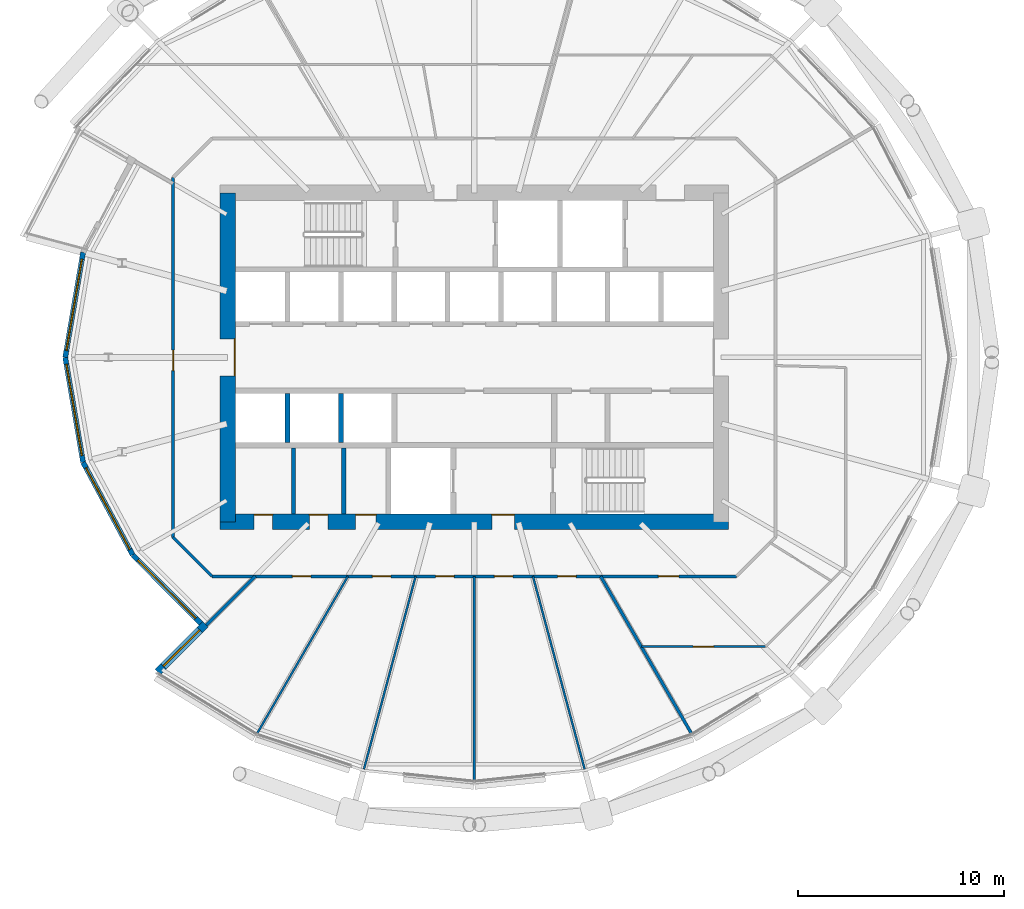
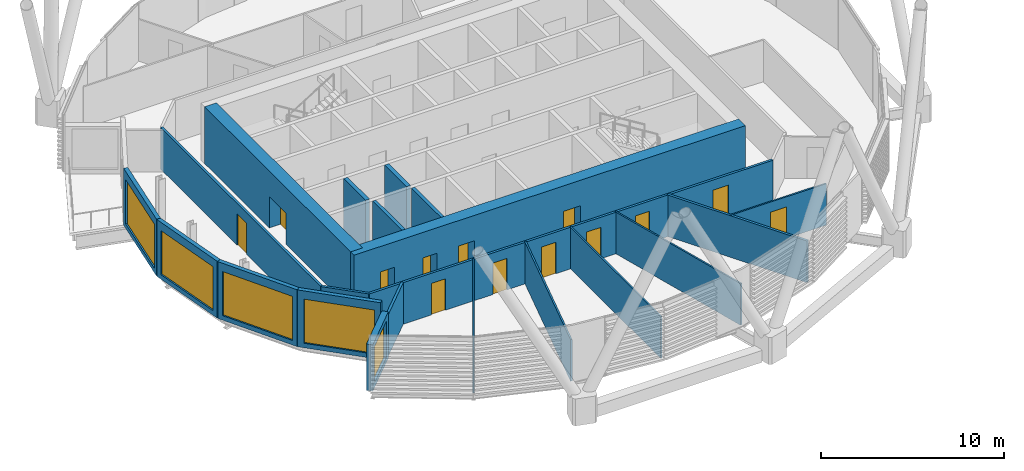
# One storey, part 27 of 39: 21 walls, 13 doors, 5 windows, 18 openings.
"""IFC4 building model written with IfcOpenShell, lengths in metres."""

from ifc_helpers import new_model, si_unit, direction, frame, frame_2d, origin, place, context, subcontext, project, spatial, rectangle, extrude, material, layer, layer_set, type_object, element, fill, save


model = new_model("IFC4")

# Units and contexts
model_context = context("Model", 3, precision=1e-05, world=origin(), true_north=direction((0.0, 1.0)))
body_context = subcontext(model_context, "Body", "Model", "MODEL_VIEW")
ifc_project = project(units=[si_unit("LENGTHUNIT", "METRE"), si_unit("AREAUNIT", "SQUARE_METRE"), si_unit("VOLUMEUNIT", "CUBIC_METRE"), si_unit("PLANEANGLEUNIT", "RADIAN"), si_unit("MASSUNIT", "GRAM", prefix="KILO")], contexts=[model_context])

# Site, building, storey
site_placement = place(None, origin())
site = spatial("IfcSite", under=ifc_project, at=site_placement, CompositionType="ELEMENT")
building_placement = place(site_placement, origin())
building = spatial("IfcBuilding", under=site, at=building_placement, Name="Rimbun Link Towers", CompositionType="ELEMENT")
storey_placement = place(building_placement, frame((0.0, 0.0, 115.800048828125)))
storey = spatial("IfcBuildingStorey", under=building, at=storey_placement, Name="L28", CompositionType="ELEMENT", Elevation=115.800048828125)

# Wall, opening, window
ifc_material_1 = material(Name="Dark enamelled glass spandrel on insulated aluminium backpan", Category="aluminium")
ifc_layer_1 = layer(ifc_material_1, 0.25)
ifc_layer_set_1 = layer_set([ifc_layer_1], Name="CS dark enamelled spandrel wall 250")
wall_type_1 = type_object("IfcWallType", Name="CS dark enamelled spandrel wall 250", PredefinedType="STANDARD", material=ifc_layer_set_1)
wall_1_placement = place(storey_placement, frame((-51.647705078125, 0.0, 0.0), z_axis=(0.0, 0.0, 1.0), x_axis=(0.167561603855, 0.985861607384, 0.0)))
wall_1 = element("IfcWall", 1, at=wall_1_placement, inside=storey, type_object=wall_type_1, Name="Crease spandrel wall", PredefinedType="STANDARD", context=body_context, shape_type="SweptSolid", body=[
    extrude(rectangle(XDim=5.18115234375, YDim=0.25, at=frame_2d((2.590576171875, 0.0))), origin(), (0.0, 0.0, 1.0), 3.800048828125),
])
opening_1_placement = place(wall_1_placement, frame((0.340576171875, 0.0, 0.300048828125)))
opening_1 = element("IfcOpeningElement", 2, at=opening_1_placement, cuts=wall_1, Name="Opening WR45H295", PredefinedType="OPENING", context=body_context, shape_type="SweptSolid", body=[
    extrude(rectangle(XDim=4.5, YDim=2.949951171875, at=frame_2d((2.25, 1.47509765625))), frame((0.0, 0.135009765625, 0.0), z_axis=(0.0, -1.0, 0.0), x_axis=(1.0, 0.0, 0.0)), (0.0, 0.0, 1.0), 0.27001953125),
])
ifc_material_2 = material(Name="Aluminium framed fixed window, dark tinted low-e glass", Category="aluminium")
window_type_1 = type_object("IfcWindowType", Name="WR ribbon window 4500X2950", PartitioningType="SINGLE_PANEL", PredefinedType="WINDOW", material=ifc_material_2)
window_1_placement = place(opening_1_placement, origin())
window_1 = element("IfcWindow", 3, at=window_1_placement, inside=storey, type_object=window_type_1, Name="Crease ribbon window", OverallHeight=2.949951171875, OverallWidth=4.5, PartitioningType="SINGLE_PANEL", PredefinedType="WINDOW", context=body_context, shape_type="SweptSolid", body=[
    extrude(rectangle(XDim=4.5, YDim=2.949951171875, at=frame_2d((2.25, 1.47509765625))), frame((0.0, 0.030029296875, 0.0), z_axis=(0.0, -1.0, 0.0), x_axis=(1.0, 0.0, 0.0)), (0.0, 0.0, 1.0), 0.06005859375),
])
fill(opening_1, window_1)

wall_2_placement = place(storey_placement, frame((-50.779541015625, -5.10791015625, 0.0), z_axis=(0.0, 0.0, 1.0), x_axis=(-0.167561603855, 0.985861607384, 0.0)))
wall_2 = element("IfcWall", 4, at=wall_2_placement, inside=storey, type_object=wall_type_1, Name="Crease spandrel wall", PredefinedType="STANDARD", context=body_context, shape_type="SweptSolid", body=[
    extrude(rectangle(XDim=5.18115234375, YDim=0.25, at=frame_2d((2.590576171875, 0.0))), origin(), (0.0, 0.0, 1.0), 3.800048828125),
])
opening_2_placement = place(wall_2_placement, frame((0.340576171875, 0.0, 0.300048828125)))
opening_2 = element("IfcOpeningElement", 5, at=opening_2_placement, cuts=wall_2, Name="Opening WR45H295", PredefinedType="OPENING", context=body_context, shape_type="SweptSolid", body=[
    extrude(rectangle(XDim=4.5, YDim=2.949951171875, at=frame_2d((2.25, 1.47509765625))), frame((0.0, 0.135009765625, 0.0), z_axis=(0.0, -1.0, 0.0), x_axis=(1.0, 0.0, 0.0)), (0.0, 0.0, 1.0), 0.27001953125),
])
window_2_placement = place(opening_2_placement, origin())
window_2 = element("IfcWindow", 6, at=window_2_placement, inside=storey, type_object=window_type_1, Name="Crease ribbon window", OverallHeight=2.949951171875, OverallWidth=4.5, PartitioningType="SINGLE_PANEL", PredefinedType="WINDOW", context=body_context, shape_type="SweptSolid", body=[
    extrude(rectangle(XDim=4.5, YDim=2.949951171875, at=frame_2d((2.25, 1.47509765625))), frame((0.0, 0.030029296875, 0.0), z_axis=(0.0, -1.0, 0.0), x_axis=(1.0, 0.0, 0.0)), (0.0, 0.0, 1.0), 0.06005859375),
])
fill(opening_2, window_2)

wall_3_placement = place(storey_placement, frame((-48.3671875, -9.610595703125, 0.0), z_axis=(0.0, 0.0, 1.0), x_axis=(-0.472251916987, 0.881463627668, 0.0)))
wall_3 = element("IfcWall", 7, at=wall_3_placement, inside=storey, type_object=wall_type_1, Name="Crease spandrel wall", PredefinedType="STANDARD", context=body_context, shape_type="SweptSolid", body=[
    extrude(rectangle(XDim=5.108154296875, YDim=0.25, at=frame_2d((2.55419921875, 0.0))), origin(), (0.0, 0.0, 1.0), 3.800048828125),
])
opening_3_placement = place(wall_3_placement, frame((0.303955078125, 0.0, 0.300048828125)))
opening_3 = element("IfcOpeningElement", 8, at=opening_3_placement, cuts=wall_3, Name="Opening WR45H295", PredefinedType="OPENING", context=body_context, shape_type="SweptSolid", body=[
    extrude(rectangle(XDim=4.5, YDim=2.949951171875, at=frame_2d((2.25, 1.47509765625))), frame((0.0, 0.135009765625, 0.0), z_axis=(0.0, -1.0, 0.0), x_axis=(1.0, 0.0, 0.0)), (0.0, 0.0, 1.0), 0.27001953125),
])
window_3_placement = place(opening_3_placement, origin())
window_3 = element("IfcWindow", 9, at=window_3_placement, inside=storey, type_object=window_type_1, Name="Crease ribbon window", OverallHeight=2.949951171875, OverallWidth=4.5, PartitioningType="SINGLE_PANEL", PredefinedType="WINDOW", context=body_context, shape_type="SweptSolid", body=[
    extrude(rectangle(XDim=4.5, YDim=2.949951171875, at=frame_2d((2.25, 1.47509765625))), frame((0.0, 0.030029296875, 0.0), z_axis=(0.0, -1.0, 0.0), x_axis=(1.0, 0.0, 0.0)), (0.0, 0.0, 1.0), 0.06005859375),
])
fill(opening_3, window_3)

wall_4_placement = place(storey_placement, frame((-45.047119140625, -12.943359375, 0.0), z_axis=(0.0, 0.0, 1.0), x_axis=(-0.705756154821, 0.708454832669, 0.0)))
wall_4 = element("IfcWall", 10, at=wall_4_placement, inside=storey, type_object=wall_type_1, Name="Crease spandrel wall", PredefinedType="STANDARD", context=body_context, shape_type="SweptSolid", body=[
    extrude(rectangle(XDim=4.704345703125, YDim=0.25, at=frame_2d((2.35205078125, 0.0))), origin(), (0.0, 0.0, 1.0), 3.800048828125),
])
opening_4_placement = place(wall_4_placement, frame((0.352294921875, 0.0, 0.300048828125)))
opening_4 = element("IfcOpeningElement", 11, at=opening_4_placement, cuts=wall_4, Name="Opening WR40H295", PredefinedType="OPENING", context=body_context, shape_type="SweptSolid", body=[
    extrude(rectangle(XDim=4.0, YDim=2.949951171875, at=frame_2d((2.0, 1.47509765625))), frame((0.0, 0.135009765625, 0.0), z_axis=(0.0, -1.0, 0.0), x_axis=(1.0, 0.0, 0.0)), (0.0, 0.0, 1.0), 0.27001953125),
])
ifc_material_3 = material(Name="Aluminium framed fixed window, dark tinted low-e glass", Category="aluminium")
window_type_2 = type_object("IfcWindowType", Name="WR ribbon window 4000X2950", PartitioningType="SINGLE_PANEL", PredefinedType="WINDOW", material=ifc_material_3)
window_4_placement = place(opening_4_placement, origin())
window_4 = element("IfcWindow", 12, at=window_4_placement, inside=storey, type_object=window_type_2, Name="Crease ribbon window", OverallHeight=2.949951171875, OverallWidth=4.0, PartitioningType="SINGLE_PANEL", PredefinedType="WINDOW", context=body_context, shape_type="SweptSolid", body=[
    extrude(rectangle(XDim=4.0, YDim=2.949951171875, at=frame_2d((2.0, 1.47509765625))), frame((0.0, 0.030029296875, 0.0), z_axis=(0.0, -1.0, 0.0), x_axis=(1.0, 0.0, 0.0)), (0.0, 0.0, 1.0), 0.06005859375),
])
fill(opening_4, window_4)

ifc_material_4 = material(Name="Dark enamelled glass spandrel on insulated aluminium backpan", Category="aluminium")
ifc_layer_2 = layer(ifc_material_4, 0.3701171875)
ifc_layer_set_2 = layer_set([ifc_layer_2], Name="CS dark enamelled spandrel wall 370")
wall_type_2 = type_object("IfcWallType", Name="CS dark enamelled spandrel wall 370", PredefinedType="STANDARD", material=ifc_layer_set_2)
wall_5_placement = place(storey_placement, frame((-47.1474609375, -15.305419921875, 0.0), z_axis=(0.0, 0.0, 1.0), x_axis=(0.707143998312, 0.707069562102, 0.0)))
wall_5 = element("IfcWall", 13, at=wall_5_placement, inside=storey, type_object=wall_type_2, Name="Crease spandrel wall", PredefinedType="STANDARD", context=body_context, shape_type="SweptSolid", body=[
    extrude(rectangle(XDim=3.27978515625, YDim=0.3701171875, at=frame_2d((1.639892578125, 0.0))), origin(), (0.0, 0.0, 1.0), 3.096923828125),
])
opening_5_placement = place(wall_5_placement, frame((0.389892578125, 0.0, 0.300048828125)))
opening_5 = element("IfcOpeningElement", 14, at=opening_5_placement, cuts=wall_5, Name="Opening WR25H245", PredefinedType="OPENING", context=body_context, shape_type="SweptSolid", body=[
    extrude(rectangle(XDim=2.5, YDim=2.449951171875, at=frame_2d((1.25, 1.22509765625))), frame((0.0, 0.195068359375, 0.0), z_axis=(0.0, -1.0, 0.0), x_axis=(1.0, 0.0, 0.0)), (0.0, 0.0, 1.0), 0.39013671875),
])
ifc_material_5 = material(Name="Aluminium framed fixed window, dark tinted low-e glass", Category="aluminium")
window_type_3 = type_object("IfcWindowType", Name="WR ribbon window 2500X2450", PartitioningType="SINGLE_PANEL", PredefinedType="WINDOW", material=ifc_material_5)
window_5_placement = place(opening_5_placement, origin())
window_5 = element("IfcWindow", 15, at=window_5_placement, inside=storey, type_object=window_type_3, Name="Crease ribbon window", OverallHeight=2.449951171875, OverallWidth=2.5, PartitioningType="SINGLE_PANEL", PredefinedType="WINDOW", context=body_context, shape_type="SweptSolid", body=[
    extrude(rectangle(XDim=2.5, YDim=2.449951171875, at=frame_2d((1.25, 1.22509765625))), frame((0.0, 0.030029296875, 0.0), z_axis=(0.0, -1.0, 0.0), x_axis=(1.0, 0.0, 0.0)), (0.0, 0.0, 1.0), 0.06005859375),
])
fill(opening_5, window_5)

# Walls
ifc_material_6 = material(Name="Masonry blockwork", Category="masonry")
ifc_layer_3 = layer(ifc_material_6, 0.199951171875)
ifc_layer_set_3 = layer_set([ifc_layer_3], Name="Core partition 200")
wall_type_3 = type_object("IfcWallType", Name="Core partition 200", PredefinedType="PARTITIONING", material=ifc_layer_set_3)
for number, where, z_axis, x_axis, name in (
    (16, (-40.550048828125, -4.39990234375, 0.0), (0.0, 0.0, 1.0), (0.0, -1.0, 0.0), "L28 T1 core wall C1"),
    (17, (-38.10009765625, -4.39990234375, 0.0), (0.0, 0.0, 1.0), (0.0, -1.0, 0.0), "L28 T1 core wall C2"),
):
    element("IfcWall", number, at=place(storey_placement, frame(where, z_axis=z_axis, x_axis=x_axis)), inside=storey, type_object=wall_type_3, Name=name, PredefinedType="PARTITIONING", context=body_context, shape_type="SweptSolid", body=[
        extrude(rectangle(XDim=3.22509765625, YDim=0.199951171875, at=frame_2d((1.612548828125, 0.0))), origin(), (0.0, 0.0, 1.0), 3.800048828125),
    ])

# Wall, openings, doors
ifc_material_7 = material(Name="Concrete C60/75", Category="concrete")
ifc_layer_4 = layer(ifc_material_7, 0.75)
ifc_layer_set_4 = layer_set([ifc_layer_4], Name="Core shear wall 750")
wall_type_4 = type_object("IfcWallType", Name="Core shear wall 750", PredefinedType="SHEAR", material=ifc_layer_set_4)
wall_6_placement = place(storey_placement, frame((-44.125, -8.0, 0.0), z_axis=(0.0, 0.0, 1.0), x_axis=(1.0, 0.0, 0.0)))
wall_6 = element("IfcWall", 18, at=wall_6_placement, inside=storey, type_object=wall_type_4, Name="L28 T1 core wall S", PredefinedType="SHEAR", context=body_context, shape_type="SweptSolid", body=[
    extrude(rectangle(XDim=24.75, YDim=0.75, at=frame_2d((12.375, 0.0))), origin(), (0.0, 0.0, 1.0), 3.800048828125),
])
opening_6_placement = place(wall_6_placement, frame((13.22509765625, 0.0, 0.0)))
opening_6 = element("IfcOpeningElement", 19, at=opening_6_placement, cuts=wall_6, Name="Opening C1DCF01S", PredefinedType="OPENING", context=body_context, shape_type="SweptSolid", body=[
    extrude(rectangle(XDim=1.10009765625, YDim=2.10009765625, at=frame_2d((0.550048828125, 1.050048828125))), frame((0.0, 0.385009765625, 0.0), z_axis=(0.0, -1.0, 0.0), x_axis=(1.0, 0.0, 0.0)), (0.0, 0.0, 1.0), 0.77001953125),
])
opening_7_placement = place(wall_6_placement, frame((1.66259765625, 0.0, 0.0)))
opening_7 = element("IfcOpeningElement", 20, at=opening_7_placement, cuts=wall_6, Name="Opening C1DWC02S", PredefinedType="OPENING", context=body_context, shape_type="SweptSolid", body=[
    extrude(rectangle(XDim=0.89990234375, YDim=2.10009765625, at=frame_2d((0.449951171875, 1.050048828125))), frame((0.0, 0.385009765625, 0.0), z_axis=(0.0, -1.0, 0.0), x_axis=(1.0, 0.0, 0.0)), (0.0, 0.0, 1.0), 0.77001953125),
])
opening_8_placement = place(wall_6_placement, frame((4.35009765625, 0.0, 0.0)))
opening_8 = element("IfcOpeningElement", 21, at=opening_8_placement, cuts=wall_6, Name="Opening C1DWC03S", PredefinedType="OPENING", context=body_context, shape_type="SweptSolid", body=[
    extrude(rectangle(XDim=0.89990234375, YDim=2.10009765625, at=frame_2d((0.449951171875, 1.050048828125))), frame((0.0, 0.385009765625, 0.0), z_axis=(0.0, -1.0, 0.0), x_axis=(1.0, 0.0, 0.0)), (0.0, 0.0, 1.0), 0.77001953125),
])
opening_9_placement = place(wall_6_placement, frame((6.60009765625, 0.0, 0.0)))
opening_9 = element("IfcOpeningElement", 22, at=opening_9_placement, cuts=wall_6, Name="Opening C1DAW04S", PredefinedType="OPENING", context=body_context, shape_type="SweptSolid", body=[
    extrude(rectangle(XDim=1.0, YDim=2.10009765625, at=frame_2d((0.5, 1.050048828125))), frame((0.0, 0.385009765625, 0.0), z_axis=(0.0, -1.0, 0.0), x_axis=(1.0, 0.0, 0.0)), (0.0, 0.0, 1.0), 0.77001953125),
])
ifc_material_8 = material(Name="Timber", Category="wood")
door_type_1 = type_object("IfcDoorType", Name="Accessible WC door", OperationType="SINGLE_SWING_LEFT", PredefinedType="DOOR", material=ifc_material_8)
door_1_placement = place(opening_9_placement, origin())
door_1 = element("IfcDoor", 23, at=door_1_placement, inside=storey, type_object=door_type_1, Name="L28 T1 accessible wc door", OperationType="SINGLE_SWING_RIGHT", OverallHeight=2.10009765625, OverallWidth=1.0, PredefinedType="DOOR", context=body_context, shape_type="SweptSolid", body=[
    extrude(rectangle(XDim=1.0, YDim=2.10009765625, at=frame_2d((0.5, 1.050048828125))), frame((0.0, 0.375, 0.0), z_axis=(0.0, -1.0, 0.0), x_axis=(1.0, 0.0, 0.0)), (0.0, 0.0, 1.0), 0.050048828125),
])
fill(opening_9, door_1)
ifc_material_9 = material(Name="Steel fire door set", Category="steel")
door_type_2 = type_object("IfcDoorType", Name="Core fire door single", OperationType="SINGLE_SWING_LEFT", PredefinedType="DOOR", material=ifc_material_9)
door_2_placement = place(opening_6_placement, origin())
door_2 = element("IfcDoor", 24, at=door_2_placement, inside=storey, type_object=door_type_2, Name="L28 T1 firefighting lobby s door", OperationType="SINGLE_SWING_RIGHT", OverallHeight=2.10009765625, OverallWidth=1.10009765625, PredefinedType="DOOR", context=body_context, shape_type="SweptSolid", body=[
    extrude(rectangle(XDim=1.10009765625, YDim=2.10009765625, at=frame_2d((0.550048828125, 1.050048828125))), frame((0.0, 0.375, 0.0), z_axis=(0.0, -1.0, 0.0), x_axis=(1.0, 0.0, 0.0)), (0.0, 0.0, 1.0), 0.050048828125),
])
fill(opening_6, door_2)
ifc_material_10 = material(Name="Timber", Category="wood")
door_type_3 = type_object("IfcDoorType", Name="WC door", OperationType="SINGLE_SWING_LEFT", PredefinedType="DOOR", material=ifc_material_10)
door_3_placement = place(opening_7_placement, origin())
door_3 = element("IfcDoor", 25, at=door_3_placement, inside=storey, type_object=door_type_3, Name="L28 T1 male wc door", OperationType="SINGLE_SWING_RIGHT", OverallHeight=2.10009765625, OverallWidth=0.89990234375, PredefinedType="DOOR", context=body_context, shape_type="SweptSolid", body=[
    extrude(rectangle(XDim=0.89990234375, YDim=2.10009765625, at=frame_2d((0.449951171875, 1.050048828125))), frame((0.0, 0.375, 0.0), z_axis=(0.0, -1.0, 0.0), x_axis=(1.0, 0.0, 0.0)), (0.0, 0.0, 1.0), 0.050048828125),
])
fill(opening_7, door_3)
door_4_placement = place(opening_8_placement, origin())
door_4 = element("IfcDoor", 26, at=door_4_placement, inside=storey, type_object=door_type_3, Name="L28 T1 female wc door", OperationType="SINGLE_SWING_LEFT", OverallHeight=2.10009765625, OverallWidth=0.89990234375, PredefinedType="DOOR", context=body_context, shape_type="SweptSolid", body=[
    extrude(rectangle(XDim=0.89990234375, YDim=2.10009765625, at=frame_2d((0.449951171875, 1.050048828125))), frame((0.0, 0.375, 0.0), z_axis=(0.0, -1.0, 0.0), x_axis=(1.0, 0.0, 0.0)), (0.0, 0.0, 1.0), 0.050048828125),
])
fill(opening_8, door_4)

# Wall, opening, door
wall_7_placement = place(storey_placement, frame((-43.75, -8.0, 0.0), z_axis=(0.0, 0.0, 1.0), x_axis=(0.0, 1.0, 0.0)))
wall_7 = element("IfcWall", 27, at=wall_7_placement, inside=storey, type_object=wall_type_4, Name="L28 T1 core wall W", PredefinedType="SHEAR", context=body_context, shape_type="SweptSolid", body=[
    extrude(rectangle(XDim=16.0, YDim=0.75, at=frame_2d((8.0, 0.0))), origin(), (0.0, 0.0, 1.0), 3.800048828125),
])
opening_10_placement = place(wall_7_placement, frame((7.10009765625, 0.0, 0.0)))
opening_10 = element("IfcOpeningElement", 28, at=opening_10_placement, cuts=wall_7, Name="Opening C1DCL01W", PredefinedType="OPENING", context=body_context, shape_type="SweptSolid", body=[
    extrude(rectangle(XDim=1.800048828125, YDim=2.10009765625, at=frame_2d((0.89990234375, 1.050048828125))), frame((0.0, 0.385009765625, 0.0), z_axis=(0.0, -1.0, 0.0), x_axis=(1.0, 0.0, 0.0)), (0.0, 0.0, 1.0), 0.77001953125),
])
ifc_material_11 = material(Name="Steel fire door set", Category="steel")
door_type_4 = type_object("IfcDoorType", Name="Core lobby door double", OperationType="DOUBLE_DOOR_SINGLE_SWING", PredefinedType="DOOR", material=ifc_material_11)
door_5_placement = place(opening_10_placement, origin())
door_5 = element("IfcDoor", 29, at=door_5_placement, inside=storey, type_object=door_type_4, Name="L28 T1 lift lobby door", OperationType="DOUBLE_DOOR_SINGLE_SWING", OverallHeight=2.10009765625, OverallWidth=1.800048828125, PredefinedType="DOOR", context=body_context, shape_type="SweptSolid", body=[
    extrude(rectangle(XDim=1.800048828125, YDim=2.10009765625, at=frame_2d((0.89990234375, 1.050048828125))), frame((0.0, -0.3251953125, 0.0), z_axis=(0.0, -1.0, 0.0), x_axis=(1.0, 0.0, 0.0)), (0.0, 0.0, 1.0), 0.050048828125),
])
fill(opening_10, door_5)

# Wall, openings, doors
ifc_material_12 = material(Name="Plasterboard on steel stud, mineral wool", Category="steel")
ifc_layer_5 = layer(ifc_material_12, 0.14990234375)
ifc_layer_set_5 = layer_set([ifc_layer_5], Name="Corridor wall EI 30 150 mm")
wall_type_5 = type_object("IfcWallType", Name="Corridor wall EI 30 150 mm", PredefinedType="PARTITIONING", material=ifc_layer_set_5)
wall_8_placement = place(storey_placement, frame((-18.998291015625, -10.64990234375, 0.0), z_axis=(0.0, 0.0, 1.0), x_axis=(-1.0, 0.0, 0.0)))
wall_8 = element("IfcWall", 30, at=wall_8_placement, inside=storey, type_object=wall_type_5, Name="Corridor wall EI 30 150 mm", PredefinedType="PARTITIONING", context=body_context, shape_type="SweptSolid", body=[
    extrude(rectangle(XDim=25.50341796875, YDim=0.14990234375, at=frame_2d((12.751708984375, 0.0))), origin(), (0.0, 0.0, 1.0), 2.779052734375),
])
opening_11_placement = place(wall_8_placement, frame((20.701171875, 0.0, 0.0)))
opening_11 = element("IfcOpeningElement", 31, at=opening_11_placement, cuts=wall_8, Name="Opening D02", PredefinedType="OPENING", context=body_context, shape_type="SweptSolid", body=[
    extrude(rectangle(XDim=0.89990234375, YDim=2.10009765625, at=frame_2d((0.449951171875, 1.050048828125))), frame((0.0, 0.0849609375, 0.0), z_axis=(0.0, -1.0, 0.0), x_axis=(1.0, 0.0, 0.0)), (0.0, 0.0, 1.0), 0.169921875),
])
opening_12_placement = place(wall_8_placement, frame((16.802978515625, 0.0, 0.0)))
opening_12 = element("IfcOpeningElement", 32, at=opening_12_placement, cuts=wall_8, Name="Opening D02", PredefinedType="OPENING", context=body_context, shape_type="SweptSolid", body=[
    extrude(rectangle(XDim=0.89990234375, YDim=2.10009765625, at=frame_2d((0.449951171875, 1.050048828125))), frame((0.0, 0.0849609375, 0.0), z_axis=(0.0, -1.0, 0.0), x_axis=(1.0, 0.0, 0.0)), (0.0, 0.0, 1.0), 0.169921875),
])
opening_13_placement = place(wall_8_placement, frame((13.728515625, 0.0, 0.0)))
opening_13 = element("IfcOpeningElement", 33, at=opening_13_placement, cuts=wall_8, Name="Opening D02", PredefinedType="OPENING", context=body_context, shape_type="SweptSolid", body=[
    extrude(rectangle(XDim=0.89990234375, YDim=2.10009765625, at=frame_2d((0.449951171875, 1.050048828125))), frame((0.0, 0.0849609375, 0.0), z_axis=(0.0, -1.0, 0.0), x_axis=(1.0, 0.0, 0.0)), (0.0, 0.0, 1.0), 0.169921875),
])
opening_14_placement = place(wall_8_placement, frame((10.875, 0.0, 0.0)))
opening_14 = element("IfcOpeningElement", 34, at=opening_14_placement, cuts=wall_8, Name="Opening D02", PredefinedType="OPENING", context=body_context, shape_type="SweptSolid", body=[
    extrude(rectangle(XDim=0.89990234375, YDim=2.10009765625, at=frame_2d((0.449951171875, 1.050048828125))), frame((0.0, 0.0849609375, 0.0), z_axis=(0.0, -1.0, 0.0), x_axis=(1.0, 0.0, 0.0)), (0.0, 0.0, 1.0), 0.169921875),
])
opening_15_placement = place(wall_8_placement, frame((7.800537109375, 0.0, 0.0)))
opening_15 = element("IfcOpeningElement", 35, at=opening_15_placement, cuts=wall_8, Name="Opening D02", PredefinedType="OPENING", context=body_context, shape_type="SweptSolid", body=[
    extrude(rectangle(XDim=0.89990234375, YDim=2.10009765625, at=frame_2d((0.449951171875, 1.050048828125))), frame((0.0, 0.0849609375, 0.0), z_axis=(0.0, -1.0, 0.0), x_axis=(1.0, 0.0, 0.0)), (0.0, 0.0, 1.0), 0.169921875),
])
opening_16_placement = place(wall_8_placement, frame((2.801513671875, 0.0, 0.0)))
opening_16 = element("IfcOpeningElement", 36, at=opening_16_placement, cuts=wall_8, Name="Opening D01", PredefinedType="OPENING", context=body_context, shape_type="SweptSolid", body=[
    extrude(rectangle(XDim=1.0, YDim=2.10009765625, at=frame_2d((0.5, 1.050048828125))), frame((0.0, 0.0849609375, 0.0), z_axis=(0.0, -1.0, 0.0), x_axis=(1.0, 0.0, 0.0)), (0.0, 0.0, 1.0), 0.169921875),
])
ifc_material_13 = material(Name="Fire-resisting timber door leaf", Category="wood")
door_type_5 = type_object("IfcDoorType", Name="Fire door FD30S 1000", OperationType="NOTDEFINED", PredefinedType="DOOR", material=ifc_material_13)
door_6_placement = place(opening_16_placement, origin())
door_6 = element("IfcDoor", 37, at=door_6_placement, inside=storey, type_object=door_type_5, Name="Fire door FD30S 1000 to Reception", OperationType="SINGLE_SWING_RIGHT", OverallHeight=2.10009765625, OverallWidth=1.0, PredefinedType="DOOR", context=body_context, shape_type="SweptSolid", body=[
    extrude(rectangle(XDim=1.0, YDim=2.10009765625, at=frame_2d((0.5, 1.050048828125))), frame((0.0, 0.02490234375, 0.0), z_axis=(0.0, -1.0, 0.0), x_axis=(1.0, 0.0, 0.0)), (0.0, 0.0, 1.0), 0.050048828125),
])
fill(opening_16, door_6)
ifc_material_14 = material(Name="Fire-resisting timber door leaf", Category="wood")
door_type_6 = type_object("IfcDoorType", Name="Fire door FD30S 900", OperationType="NOTDEFINED", PredefinedType="DOOR", material=ifc_material_14)
door_7_placement = place(opening_11_placement, origin())
door_7 = element("IfcDoor", 38, at=door_7_placement, inside=storey, type_object=door_type_6, Name="Fire door FD30S 900 to Cellular office", OperationType="SINGLE_SWING_LEFT", OverallHeight=2.10009765625, OverallWidth=0.89990234375, PredefinedType="DOOR", context=body_context, shape_type="SweptSolid", body=[
    extrude(rectangle(XDim=0.89990234375, YDim=2.10009765625, at=frame_2d((0.449951171875, 1.050048828125))), frame((0.0, 0.02490234375, 0.0), z_axis=(0.0, -1.0, 0.0), x_axis=(1.0, 0.0, 0.0)), (0.0, 0.0, 1.0), 0.050048828125),
])
fill(opening_11, door_7)
door_8_placement = place(opening_12_placement, origin())
door_8 = element("IfcDoor", 39, at=door_8_placement, inside=storey, type_object=door_type_6, Name="Fire door FD30S 900 to Cellular office", OperationType="SINGLE_SWING_RIGHT", OverallHeight=2.10009765625, OverallWidth=0.89990234375, PredefinedType="DOOR", context=body_context, shape_type="SweptSolid", body=[
    extrude(rectangle(XDim=0.89990234375, YDim=2.10009765625, at=frame_2d((0.449951171875, 1.050048828125))), frame((0.0, 0.02490234375, 0.0), z_axis=(0.0, -1.0, 0.0), x_axis=(1.0, 0.0, 0.0)), (0.0, 0.0, 1.0), 0.050048828125),
])
fill(opening_12, door_8)
door_9_placement = place(opening_13_placement, origin())
door_9 = element("IfcDoor", 40, at=door_9_placement, inside=storey, type_object=door_type_6, Name="Fire door FD30S 900 to Cellular office", OperationType="SINGLE_SWING_LEFT", OverallHeight=2.10009765625, OverallWidth=0.89990234375, PredefinedType="DOOR", context=body_context, shape_type="SweptSolid", body=[
    extrude(rectangle(XDim=0.89990234375, YDim=2.10009765625, at=frame_2d((0.449951171875, 1.050048828125))), frame((0.0, 0.02490234375, 0.0), z_axis=(0.0, -1.0, 0.0), x_axis=(1.0, 0.0, 0.0)), (0.0, 0.0, 1.0), 0.050048828125),
])
fill(opening_13, door_9)
door_10_placement = place(opening_14_placement, origin())
door_10 = element("IfcDoor", 41, at=door_10_placement, inside=storey, type_object=door_type_6, Name="Fire door FD30S 900 to Cellular office", OperationType="SINGLE_SWING_RIGHT", OverallHeight=2.10009765625, OverallWidth=0.89990234375, PredefinedType="DOOR", context=body_context, shape_type="SweptSolid", body=[
    extrude(rectangle(XDim=0.89990234375, YDim=2.10009765625, at=frame_2d((0.449951171875, 1.050048828125))), frame((0.0, 0.02490234375, 0.0), z_axis=(0.0, -1.0, 0.0), x_axis=(1.0, 0.0, 0.0)), (0.0, 0.0, 1.0), 0.050048828125),
])
fill(opening_14, door_10)
door_11_placement = place(opening_15_placement, origin())
door_11 = element("IfcDoor", 42, at=door_11_placement, inside=storey, type_object=door_type_6, Name="Fire door FD30S 900 to Meeting room", OperationType="SINGLE_SWING_LEFT", OverallHeight=2.10009765625, OverallWidth=0.89990234375, PredefinedType="DOOR", context=body_context, shape_type="SweptSolid", body=[
    extrude(rectangle(XDim=0.89990234375, YDim=2.10009765625, at=frame_2d((0.449951171875, 1.050048828125))), frame((0.0, 0.02490234375, 0.0), z_axis=(0.0, -1.0, 0.0), x_axis=(1.0, 0.0, 0.0)), (0.0, 0.0, 1.0), 0.050048828125),
])
fill(opening_15, door_11)

# Wall
wall_9_placement = place(storey_placement, frame((-46.39990234375, -8.751708984375, 0.0), z_axis=(0.0, 0.0, 1.0), x_axis=(0.707106781187, -0.707106781187, 0.0)))
element("IfcWall", 43, at=wall_9_placement, inside=storey, type_object=wall_type_5, Name="Corridor wall EI 30 150 mm", PredefinedType="PARTITIONING", context=body_context, shape_type="SweptSolid", body=[
    extrude(rectangle(XDim=2.6845703125, YDim=0.14990234375, at=frame_2d((1.34228515625, 0.0))), origin(), (0.0, 0.0, 1.0), 2.779052734375),
])

# Wall, opening, door
wall_10_placement = place(storey_placement, frame((-46.39990234375, -8.751708984375, 0.0), z_axis=(0.0, 0.0, 1.0), x_axis=(0.0, 1.0, 0.0)))
wall_10 = element("IfcWall", 44, at=wall_10_placement, inside=storey, type_object=wall_type_5, Name="Corridor wall EI 30 150 mm", PredefinedType="PARTITIONING", context=body_context, shape_type="SweptSolid", body=[
    extrude(rectangle(XDim=17.50341796875, YDim=0.14990234375, at=frame_2d((8.751708984375, 0.0))), origin(), (0.0, 0.0, 1.0), 2.779052734375),
])
opening_17_placement = place(wall_10_placement, frame((8.10498046875, 0.0, 0.0)))
opening_17 = element("IfcOpeningElement", 45, at=opening_17_placement, cuts=wall_10, Name="Opening D01", PredefinedType="OPENING", context=body_context, shape_type="SweptSolid", body=[
    extrude(rectangle(XDim=1.0, YDim=2.10009765625, at=frame_2d((0.5, 1.050048828125))), frame((0.0, 0.0849609375, 0.0), z_axis=(0.0, -1.0, 0.0), x_axis=(1.0, 0.0, 0.0)), (0.0, 0.0, 1.0), 0.169921875),
])
door_12_placement = place(opening_17_placement, origin())
door_12 = element("IfcDoor", 46, at=door_12_placement, inside=storey, type_object=door_type_5, Name="Fire door FD30S 1000 to Terrace office", OperationType="SINGLE_SWING_LEFT", OverallHeight=2.10009765625, OverallWidth=1.0, PredefinedType="DOOR", context=body_context, shape_type="SweptSolid", body=[
    extrude(rectangle(XDim=1.0, YDim=2.10009765625, at=frame_2d((0.5, 1.050048828125))), frame((0.0, 0.02490234375, 0.0), z_axis=(0.0, -1.0, 0.0), x_axis=(1.0, 0.0, 0.0)), (0.0, 0.0, 1.0), 0.050048828125),
])
fill(opening_17, door_12)

# Walls
ifc_material_15 = material(Name="Plasterboard on steel stud", Category="steel")
ifc_layer_6 = layer(ifc_material_15, 0.10009765625)
ifc_layer_set_6 = layer_set([ifc_layer_6], Name="Plasterboard partition 100 mm")
wall_type_6 = type_object("IfcWallType", Name="Plasterboard partition 100 mm", PredefinedType="PARTITIONING", material=ifc_layer_set_6)
wall_11_placement = place(storey_placement, frame((-42.321044921875, -18.3095703125, 0.0), z_axis=(0.0, 0.0, 1.0), x_axis=(0.500004402451, 0.866022862013, 0.0)))
element("IfcWall", 47, at=wall_11_placement, inside=storey, type_object=wall_type_6, Name="Plasterboard partition 100 mm", PredefinedType="PARTITIONING", context=body_context, shape_type="SweptSolid", body=[
    extrude(rectangle(XDim=8.8447265625, YDim=0.10009765625, at=frame_2d((4.42236328125, 0.0))), origin(), (0.0, 0.0, 1.0), 2.779052734375),
])
wall_12_placement = place(storey_placement, frame((-37.117919921875, -20.03369140625, 0.0), z_axis=(0.0, 0.0, 1.0), x_axis=(0.258798055813, 0.965931450108, 0.0)))
element("IfcWall", 48, at=wall_12_placement, inside=storey, type_object=wall_type_6, Name="Plasterboard partition 100 mm", PredefinedType="PARTITIONING", context=body_context, shape_type="SweptSolid", body=[
    extrude(rectangle(XDim=9.71484375, YDim=0.10009765625, at=frame_2d((4.857421875, 0.0))), origin(), (0.0, 0.0, 1.0), 2.779052734375),
])
wall_13_placement = place(storey_placement, frame((-31.75, -20.59912109375, 0.0), z_axis=(0.0, 0.0, 1.0), x_axis=(0.0, 1.0, 0.0)))
element("IfcWall", 49, at=wall_13_placement, inside=storey, type_object=wall_type_6, Name="Plasterboard partition 100 mm", PredefinedType="PARTITIONING", context=body_context, shape_type="SweptSolid", body=[
    extrude(rectangle(XDim=9.94921875, YDim=0.10009765625, at=frame_2d((4.974609375, 0.0))), origin(), (0.0, 0.0, 1.0), 2.779052734375),
])
wall_14_placement = place(storey_placement, frame((-26.382080078125, -20.03369140625, 0.0), z_axis=(0.0, 0.0, 1.0), x_axis=(-0.258798055813, 0.965931450108, 0.0)))
element("IfcWall", 50, at=wall_14_placement, inside=storey, type_object=wall_type_6, Name="Plasterboard partition 100 mm", PredefinedType="PARTITIONING", context=body_context, shape_type="SweptSolid", body=[
    extrude(rectangle(XDim=9.71484375, YDim=0.10009765625, at=frame_2d((4.857421875, 0.0))), origin(), (0.0, 0.0, 1.0), 2.779052734375),
])

# Wall, opening, door
wall_15_placement = place(storey_placement, frame((-17.581787109375, -14.070068359375, 0.0), z_axis=(0.0, 0.0, 1.0), x_axis=(-1.0, 0.0, 0.0)))
wall_15 = element("IfcWall", 51, at=wall_15_placement, inside=storey, type_object=wall_type_6, Name="Plasterboard partition 100 mm", PredefinedType="PARTITIONING", context=body_context, shape_type="SweptSolid", body=[
    extrude(rectangle(XDim=6.044921875, YDim=0.10009765625, at=frame_2d((3.0224609375, 0.0))), origin(), (0.0, 0.0, 1.0), 2.779052734375),
])
opening_18_placement = place(wall_15_placement, frame((2.5224609375, 0.0, 0.0)))
opening_18 = element("IfcOpeningElement", 52, at=opening_18_placement, cuts=wall_15, Name="Opening D03", PredefinedType="OPENING", context=body_context, shape_type="SweptSolid", body=[
    extrude(rectangle(XDim=1.0, YDim=2.10009765625, at=frame_2d((0.5, 1.050048828125))), frame((0.0, 0.06005859375, 0.0), z_axis=(0.0, -1.0, 0.0), x_axis=(1.0, 0.0, 0.0)), (0.0, 0.0, 1.0), 0.1201171875),
])
ifc_material_16 = material(Name="Timber door leaf", Category="wood")
door_type_7 = type_object("IfcDoorType", Name="Flush door 1000", OperationType="NOTDEFINED", PredefinedType="DOOR", material=ifc_material_16)
door_13_placement = place(opening_18_placement, origin())
door_13 = element("IfcDoor", 53, at=door_13_placement, inside=storey, type_object=door_type_7, Name="Flush door 1000 to Open office", OperationType="SINGLE_SWING_LEFT", OverallHeight=2.10009765625, OverallWidth=1.0, PredefinedType="DOOR", context=body_context, shape_type="SweptSolid", body=[
    extrude(rectangle(XDim=1.0, YDim=2.10009765625, at=frame_2d((0.5, 1.050048828125))), frame((0.0, 0.02490234375, 0.0), z_axis=(0.0, -1.0, 0.0), x_axis=(1.0, 0.0, 0.0)), (0.0, 0.0, 1.0), 0.050048828125),
])
fill(opening_18, door_13)

# Walls
ifc_material_17 = material(Name="Concrete C60/75", Category="concrete")
ifc_layer_7 = layer(ifc_material_17, 0.25)
ifc_layer_set_7 = layer_set([ifc_layer_7], Name="Shaft wall 250")
wall_type_7 = type_object("IfcWallType", Name="Shaft wall 250", PredefinedType="SHEAR", material=ifc_layer_set_7)
for number, where, z_axis, x_axis, name in (
    (54, (-40.83056640625, -4.14990234375, 0.0), (0.0, 0.0, 1.0), (0.0, 1.0, 0.0), "L28 T1 core wall DS0"),
    (55, (-38.236083984375, -4.14990234375, 0.0), (0.0, 0.0, 1.0), (0.0, 1.0, 0.0), "L28 T1 core wall DS1"),
):
    element("IfcWall", number, at=place(storey_placement, frame(where, z_axis=z_axis, x_axis=x_axis)), inside=storey, type_object=wall_type_7, Name=name, PredefinedType="SHEAR", context=body_context, shape_type="SweptSolid", body=[
        extrude(rectangle(XDim=2.39990234375, YDim=0.25, at=frame_2d((1.199951171875, 0.0))), origin(), (0.0, 0.0, 1.0), 3.800048828125),
    ])
ifc_material_18 = material(Name="Plasterboard on steel stud, mineral wool", Category="steel")
ifc_layer_8 = layer(ifc_material_18, 0.14990234375)
ifc_layer_set_8 = layer_set([ifc_layer_8], Name="Tenancy separation wall EI 60 150 mm")
wall_type_8 = type_object("IfcWallType", Name="Tenancy separation wall EI 60 150 mm", PredefinedType="PARTITIONING", material=ifc_layer_set_8)
wall_16_placement = place(storey_placement, frame((-42.39990234375, -10.64990234375, 0.0), z_axis=(0.0, 0.0, 1.0), x_axis=(-0.707106781187, -0.707106781187, 0.0)))
element("IfcWall", 56, at=wall_16_placement, inside=storey, type_object=wall_type_8, Name="Tenancy separation wall EI 60 150 mm", PredefinedType="PARTITIONING", context=body_context, shape_type="SweptSolid", body=[
    extrude(rectangle(XDim=3.369140625, YDim=0.14990234375, at=frame_2d((1.6845703125, 0.0))), origin(), (0.0, 0.0, 1.0), 2.779052734375),
])
wall_17_placement = place(storey_placement, frame((-25.601318359375, -10.64990234375, 0.0), z_axis=(0.0, 0.0, 1.0), x_axis=(0.500004402451, -0.866022862013, 0.0)))
element("IfcWall", 57, at=wall_17_placement, inside=storey, type_object=wall_type_8, Name="Tenancy separation wall EI 60 150 mm", PredefinedType="PARTITIONING", context=body_context, shape_type="SweptSolid", body=[
    extrude(rectangle(XDim=8.8447265625, YDim=0.14990234375, at=frame_2d((4.42236328125, 0.0))), origin(), (0.0, 0.0, 1.0), 2.779052734375),
])

save(model, "model.ifc")
